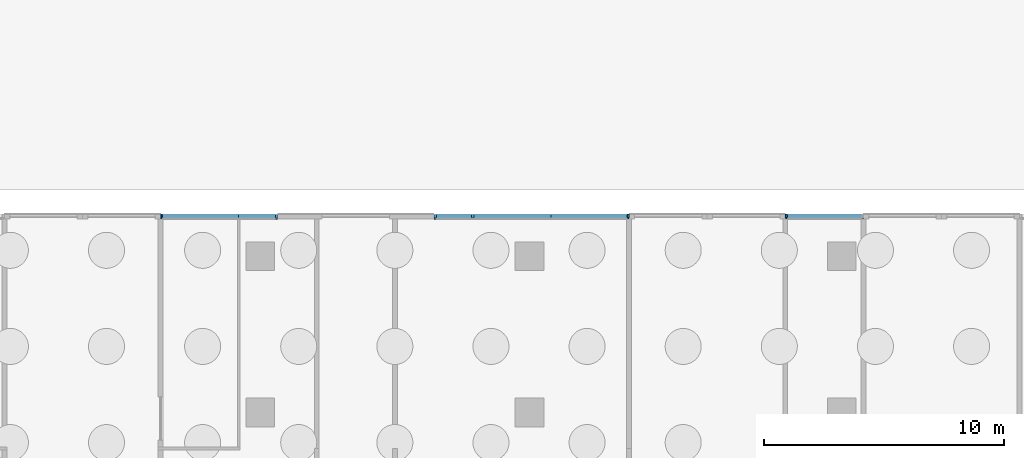
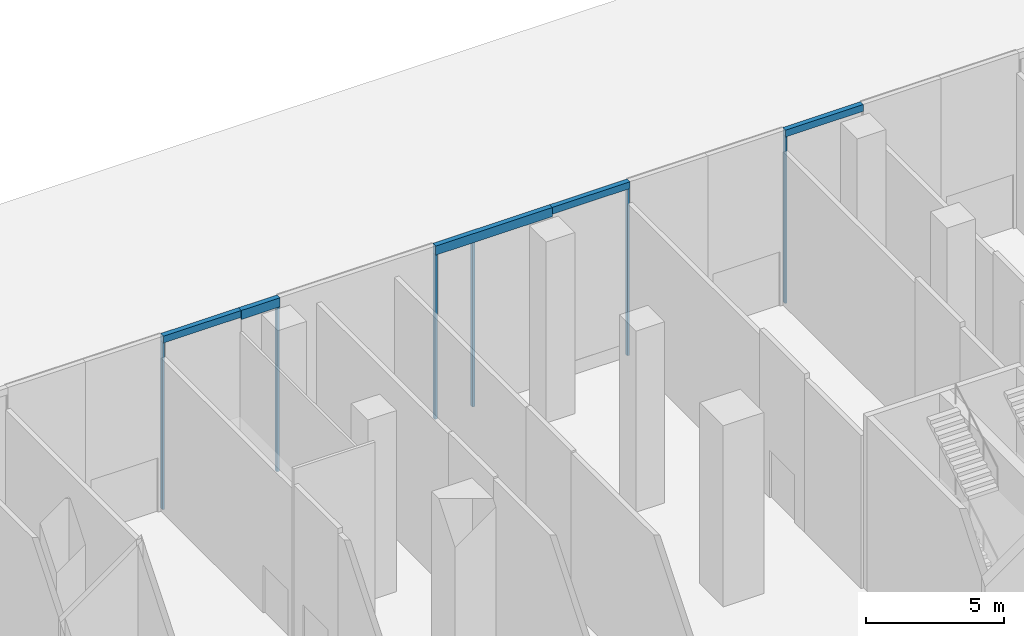
# One storey, part 11 of 27: 11 members, 5 elements without a shape of their own.
"""IFC4 building model written with IfcOpenShell, lengths in metres."""

from ifc_helpers import new_model, si_unit, direction, frame, origin, origin_2d, place, context, subcontext, project, spatial, polyline, rectangle, outline, extrude, source, transform, mapped, material, layer, layer_set, material_profile, profile_set, type_object, element, aggregate, save


model = new_model("IFC4")

# Units and contexts
model_context = context("Model", 3, precision=1e-05, world=origin(), true_north=direction((0.0, 1.0)))
body_context = subcontext(model_context, "Body", "Model", "MODEL_VIEW")
ifc_project = project(units=[si_unit("LENGTHUNIT", "METRE"), si_unit("AREAUNIT", "SQUARE_METRE"), si_unit("VOLUMEUNIT", "CUBIC_METRE"), si_unit("PLANEANGLEUNIT", "RADIAN"), si_unit("MASSUNIT", "GRAM", prefix="KILO")], contexts=[model_context])

# Site, building, storey
site_placement = place(None, origin())
site = spatial("IfcSite", under=ifc_project, at=site_placement, CompositionType="ELEMENT")
building_placement = place(site_placement, origin())
building = spatial("IfcBuilding", under=site, at=building_placement, Name="Trellis Farm Tower", CompositionType="ELEMENT")
storey_placement = place(building_placement, origin())
storey = spatial("IfcBuildingStorey", under=building, at=storey_placement, Name="L00", CompositionType="ELEMENT", Elevation=0.0)

# Curtain wall, member
ifc_material_1 = material(Name="Aluminium and glass curtain wall", Category="aluminium")
ifc_layer_1 = layer(ifc_material_1, 0.201904296875)
ifc_layer_set_1 = layer_set([ifc_layer_1], Name="SHOPFRONT CURTAIN WALL CW2")
curtain_wall_type_1 = type_object("IfcCurtainWallType", Name="SHOPFRONT CURTAIN WALL CW2", PredefinedType="NOTDEFINED", material=ifc_layer_set_1)
placement_1 = place(storey_placement, origin())
curtain_wall_1 = element("IfcCurtainWall", 1, at=placement_1, inside=storey, type_object=curtain_wall_type_1, Name="CW2 006", PredefinedType="NOTDEFINED")
ifc_material_2 = material(Name="Aluminium extrusion 6063-T6", Category="aluminium")
ifc_layer_2 = layer(ifc_material_2, 0.205078125)
ifc_layer_set_2 = layer_set([ifc_layer_2], Name="Aluminium extrusion 6063-T6")
member_type_1 = type_object("IfcMemberType", Name="CW2 TRANSOM 205x300", PredefinedType="USERDEFINED", material=ifc_layer_set_2)
placement_2 = place(storey_placement, frame((0.0, 0.0, 7.39990234375)))
member_1 = element("IfcMember", 2, at=placement_2, type_object=member_type_1, Name="TR2 006", ObjectType="TRANSOM", PredefinedType="USERDEFINED", context=body_context, shape_type="SweptSolid", body=[
    extrude(outline(polyline([(19.5, 45.5), (16.25, 45.5), (16.25, 45.294921875), (19.5, 45.294921875), (19.5, 45.5)])), origin(), (0.0, 0.0, 1.0), 0.300048828125),
])

curtain_wall_2 = element("IfcCurtainWall", 3, at=placement_1, inside=storey, type_object=curtain_wall_type_1, Name="CW2 007", PredefinedType="NOTDEFINED")
member_2 = element("IfcMember", 4, at=placement_2, type_object=member_type_1, Name="TR2 007", ObjectType="TRANSOM", PredefinedType="USERDEFINED", context=body_context, shape_type="SweptSolid", body=[
    extrude(outline(polyline([(9.75, 45.5), (6.5, 45.5), (6.5, 45.294921875), (9.75, 45.294921875), (9.75, 45.5)])), origin(), (0.0, 0.0, 1.0), 0.300048828125),
])

curtain_wall_3 = element("IfcCurtainWall", 5, at=placement_1, inside=storey, type_object=curtain_wall_type_1, Name="CW2 008", PredefinedType="NOTDEFINED")
member_3 = element("IfcMember", 6, at=placement_2, type_object=member_type_1, Name="TR2 008", ObjectType="TRANSOM", PredefinedType="USERDEFINED", context=body_context, shape_type="SweptSolid", body=[
    extrude(outline(polyline([(-6.5, 45.5), (-9.75, 45.5), (-9.75, 45.294921875), (-6.5, 45.294921875), (-6.5, 45.5)])), origin(), (0.0, 0.0, 1.0), 0.300048828125),
])

ifc_layer_3 = layer(ifc_material_1, 0.2099609375)
ifc_layer_set_3 = layer_set([ifc_layer_3], Name="LOBBY CURTAIN WALL CW4")
curtain_wall_type_2 = type_object("IfcCurtainWallType", Name="LOBBY CURTAIN WALL CW4", PredefinedType="NOTDEFINED", material=ifc_layer_set_3)
curtain_wall_4 = element("IfcCurtainWall", 7, at=placement_1, inside=storey, type_object=curtain_wall_type_2, Name="CW4 003", PredefinedType="NOTDEFINED")
ifc_layer_4 = layer(ifc_material_2, 0.2099609375)
ifc_layer_set_4 = layer_set([ifc_layer_4], Name="Aluminium extrusion 6063-T6")
member_type_2 = type_object("IfcMemberType", Name="CW4 TRANSOM 210x400", PredefinedType="USERDEFINED", material=ifc_layer_set_4)
placement_3 = place(storey_placement, frame((0.0, 0.0, 7.300048828125)))
member_4 = element("IfcMember", 8, at=placement_3, type_object=member_type_2, Name="TR4 003", ObjectType="TRANSOM", PredefinedType="USERDEFINED", context=body_context, shape_type="SweptSolid", body=[
    extrude(outline(polyline([(6.5, 45.5), (1.625, 45.5), (1.625, 45.2900390625), (6.5, 45.2900390625), (6.5, 45.5)])), origin(), (0.0, 0.0, 1.0), 0.39990234375),
])

curtain_wall_5 = element("IfcCurtainWall", 9, at=placement_1, inside=storey, type_object=curtain_wall_type_2, Name="CW4 004", PredefinedType="NOTDEFINED")
member_5 = element("IfcMember", 10, at=placement_3, type_object=member_type_2, Name="TR4 004", ObjectType="TRANSOM", PredefinedType="USERDEFINED", context=body_context, shape_type="SweptSolid", body=[
    extrude(outline(polyline([(-4.875, 45.5), (-6.5, 45.5), (-6.5, 45.2900390625), (-4.875, 45.2900390625), (-4.875, 45.5)])), origin(), (0.0, 0.0, 1.0), 0.39990234375),
])

# Member
ifc_material_profile_1 = material_profile(ifc_material_2, rectangle(XDim=0.080078125, YDim=0.14990234375, at=origin_2d()), Name="MULLION 80x150")
ifc_profile_set_1 = profile_set([ifc_material_profile_1], Name="Aluminium extrusion 6063-T6")
member_type_3 = type_object("IfcMemberType", Name="CW2 MULLION 80x150", PredefinedType="MULLION", material=ifc_profile_set_1)
shared_shape_1 = source(origin(), body_context, "Body", "SweptSolid", [
    extrude(rectangle(XDim=0.080078125, YDim=0.14990234375, at=origin_2d()), origin(), (0.0, 0.0, 1.0), 7.39990234375),
])
member_6_placement = place(storey_placement, frame((16.2900390625, 45.425048828125, 0.0), z_axis=(0.0, 0.0, 1.0), x_axis=(-1.0, 0.0, 0.0)))
member_6 = element("IfcMember", 11, at=member_6_placement, type_object=member_type_3, Name="MU2 006-02", PredefinedType="MULLION", context=body_context, shape_type="MappedRepresentation", body=[
    mapped(shared_shape_1, transform((0.0, 0.0, 0.0))),
])

aggregate(curtain_wall_1, [member_6, member_1])

member_7_placement = place(storey_placement, frame((9.7099609375, 45.425048828125, 0.0), z_axis=(0.0, 0.0, 1.0), x_axis=(-1.0, 0.0, 0.0)))
member_7 = element("IfcMember", 12, at=member_7_placement, type_object=member_type_3, Name="MU2 007-01", PredefinedType="MULLION", context=body_context, shape_type="MappedRepresentation", body=[
    mapped(shared_shape_1, transform((0.0, 0.0, 0.0))),
])

aggregate(curtain_wall_2, [member_7, member_2])

member_8_placement = place(storey_placement, frame((-9.7099609375, 45.425048828125, 0.0), z_axis=(0.0, 0.0, 1.0), x_axis=(-1.0, 0.0, 0.0)))
member_8 = element("IfcMember", 13, at=member_8_placement, type_object=member_type_3, Name="MU2 008-01", PredefinedType="MULLION", context=body_context, shape_type="MappedRepresentation", body=[
    mapped(shared_shape_1, transform((0.0, 0.0, 0.0))),
])

aggregate(curtain_wall_3, [member_8, member_3])

ifc_material_profile_2 = material_profile(ifc_material_2, rectangle(XDim=0.10009765625, YDim=0.14990234375, at=origin_2d()), Name="MULLION 100x150")
ifc_profile_set_2 = profile_set([ifc_material_profile_2], Name="Aluminium extrusion 6063-T6")
member_type_4 = type_object("IfcMemberType", Name="CW4 MULLION 100x150", PredefinedType="MULLION", material=ifc_profile_set_2)
shared_shape_2 = source(origin(), body_context, "Body", "SweptSolid", [
    extrude(rectangle(XDim=0.10009765625, YDim=0.14990234375, at=origin_2d()), origin(), (0.0, 0.0, 1.0), 7.300048828125),
])
member_9_placement = place(storey_placement, frame((3.25, 45.425048828125, 0.0), z_axis=(0.0, 0.0, 1.0), x_axis=(-1.0, 0.0, 0.0)))
member_9 = element("IfcMember", 14, at=member_9_placement, type_object=member_type_4, Name="MU4 003-01", PredefinedType="MULLION", context=body_context, shape_type="MappedRepresentation", body=[
    mapped(shared_shape_2, transform((0.0, 0.0, 0.0))),
])

member_10_placement = place(storey_placement, frame((1.675048828125, 45.425048828125, 0.0), z_axis=(0.0, 0.0, 1.0), x_axis=(-1.0, 0.0, 0.0)))
member_10 = element("IfcMember", 15, at=member_10_placement, type_object=member_type_4, Name="MU4 003-02", PredefinedType="MULLION", context=body_context, shape_type="MappedRepresentation", body=[
    mapped(shared_shape_2, transform((0.0, 0.0, 0.0))),
])

aggregate(curtain_wall_4, [member_9, member_10, member_4])

member_11_placement = place(storey_placement, frame((-4.925048828125, 45.425048828125, 0.0), z_axis=(0.0, 0.0, 1.0), x_axis=(-1.0, 0.0, 0.0)))
member_11 = element("IfcMember", 16, at=member_11_placement, type_object=member_type_4, Name="MU4 004-01", PredefinedType="MULLION", context=body_context, shape_type="MappedRepresentation", body=[
    mapped(shared_shape_2, transform((0.0, 0.0, 0.0))),
])

aggregate(curtain_wall_5, [member_11, member_5])

save(model, "model.ifc")
